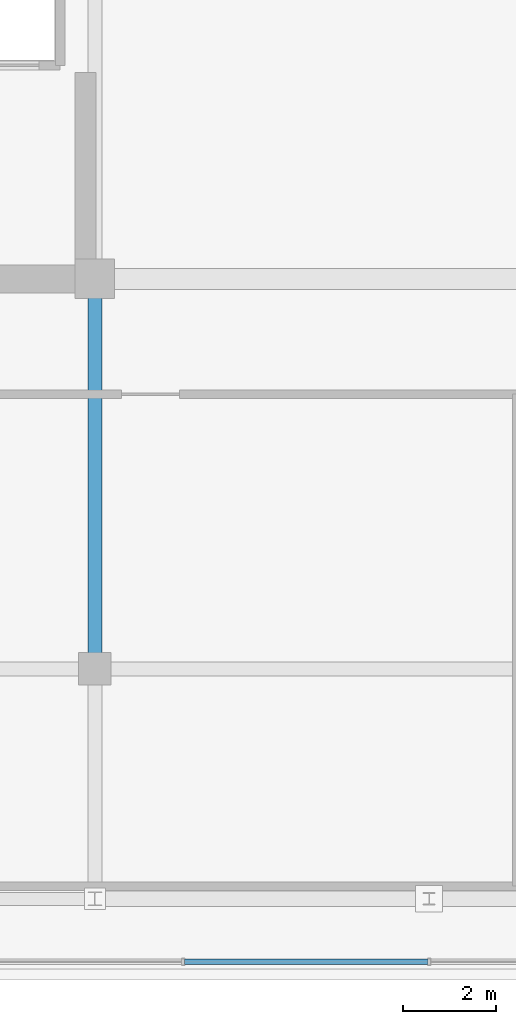
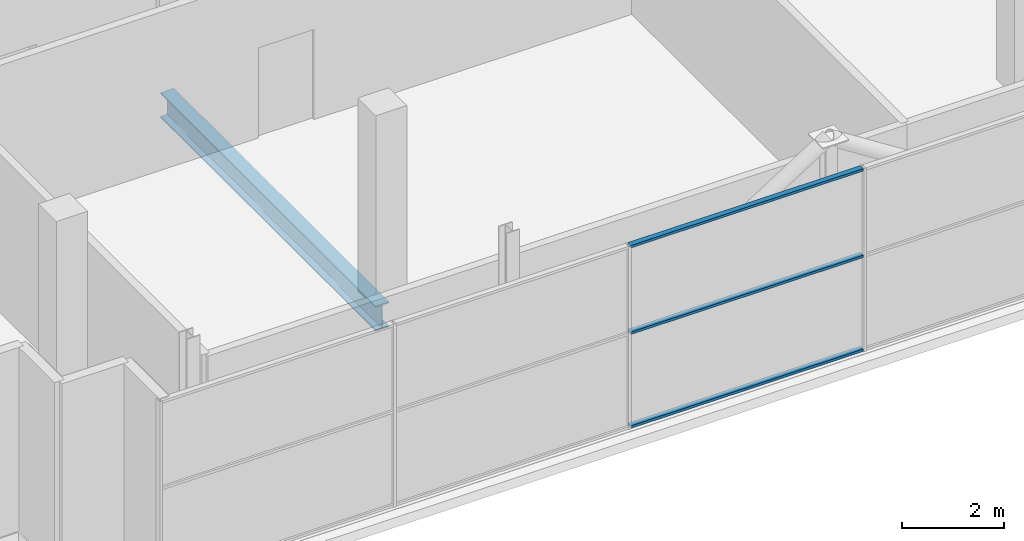
# One storey, part 6 of 26: 3 members, 1 beam, 1 element without a shape of its own.
"""IFC4 building model written with IfcOpenShell, lengths in metres."""

from ifc_helpers import new_model, si_unit, direction, frame, origin, origin_2d, place, context, subcontext, project, spatial, hollow_rectangle, i_section, extrude, source, transform, mapped, material, layer, layer_set, material_profile, profile_set, type_object, element, aggregate, save


model = new_model("IFC4")

# Units and contexts
model_context = context("Model", 3, precision=1e-05, world=origin(), true_north=direction((0.0, 1.0)))
body_context = subcontext(model_context, "Body", "Model", "MODEL_VIEW")
ifc_project = project(units=[si_unit("LENGTHUNIT", "METRE"), si_unit("AREAUNIT", "SQUARE_METRE"), si_unit("VOLUMEUNIT", "CUBIC_METRE"), si_unit("PLANEANGLEUNIT", "RADIAN"), si_unit("MASSUNIT", "GRAM", prefix="KILO")], contexts=[model_context])

# Site, building, storey
site_placement = place(None, origin())
site = spatial("IfcSite", under=ifc_project, at=site_placement, CompositionType="ELEMENT")
building_placement = place(site_placement, origin())
building = spatial("IfcBuilding", under=site, at=building_placement, Name="Zarnakvel Exchange Tower", CompositionType="ELEMENT")
storey_placement = place(building_placement, frame((0.0, 0.0, 285.39990234375)))
storey = spatial("IfcBuildingStorey", under=building, at=storey_placement, Name="Crown L80", CompositionType="ELEMENT", Elevation=285.39990234375)

# Beam
ifc_material_1 = material(Name="Steel S355", Category="steel")
ifc_material_profile_1 = material_profile(ifc_material_1, i_section(OverallWidth=0.300048828125, OverallDepth=0.60009765625, WebThickness=0.015380859375, FlangeThickness=0.030029296875, FilletRadius=0.027099609375, at=origin_2d()))
ifc_profile_set_1 = profile_set([ifc_material_profile_1], Name="Steel S355")
beam_type = type_object("IfcBeamType", Name="G-04", PredefinedType="BEAM", material=ifc_profile_set_1)
beam_placement = place(storey_placement, frame((-7.199951171875, -9.60009765625, -0.52001953125), z_axis=(0.0, 1.0, 0.0), x_axis=(-1.0, 0.0, 0.0)))
element("IfcBeam", 1, at=beam_placement, inside=storey, type_object=beam_type, Name="Crown L80 Tower N-S Frame Beam", PredefinedType="BEAM", context=body_context, shape_type="SweptSolid", body=[
    extrude(i_section(OverallWidth=0.300048828125, OverallDepth=0.60009765625, WebThickness=0.015380859375, FlangeThickness=0.030029296875, FilletRadius=0.027099609375, at=origin_2d()), origin(), (0.0, 0.0, 1.0), 8.400146484375),
])

# Curtain wall, members
ifc_material_2 = material(Name="Architectural Bronze Anodised Aluminium", Category="aluminium")
ifc_layer = layer(ifc_material_2, 0.14990234375)
ifc_layer_set = layer_set([ifc_layer], Name="Architectural Bronze Anodised Aluminium")
curtain_wall_type = type_object("IfcCurtainWallType", Name="CW-07", PredefinedType="NOTDEFINED", material=ifc_layer_set)
curtain_wall_placement = place(storey_placement, origin())
curtain_wall = element("IfcCurtainWall", 2, at=curtain_wall_placement, inside=storey, type_object=curtain_wall_type, Name="Crown L80 Curtain Wall CW-Crown L80-S (CW-07)", PredefinedType="NOTDEFINED")
ifc_material_profile_2 = material_profile(ifc_material_2, hollow_rectangle(XDim=0.1201171875, YDim=0.06005859375, WallThickness=0.00390625, at=origin_2d()))
ifc_profile_set_2 = profile_set([ifc_material_profile_2], Name="Architectural Bronze Anodised Aluminium")
member_type = type_object("IfcMemberType", Name="CWT-07", PredefinedType="USERDEFINED", material=ifc_profile_set_2)
shared_shape = source(origin(), body_context, "Body", "SweptSolid", [
    extrude(hollow_rectangle(XDim=0.1201171875, YDim=0.06005859375, WallThickness=0.00390625, at=origin_2d()), origin(), (0.0, 0.0, 1.0), 5.239990234375),
])
member_1_placement = place(storey_placement, frame((-5.27001953125, -15.909912109375, 0.030029296875), z_axis=(1.0, 0.0, 0.0), x_axis=(0.0, 1.0, 0.0)))
member_1 = element("IfcMember", 3, at=member_1_placement, type_object=member_type, Name="CW-07 transom 3.1", ObjectType="TRANSOM", PredefinedType="USERDEFINED", context=body_context, shape_type="MappedRepresentation", body=[
    mapped(shared_shape, transform((0.0, 0.0, 0.0), x_axis=(1.0, 0.0, 0.0), y_axis=(0.0, 1.0, 0.0), z_axis=(0.0, 0.0, 1.0), scale=1.0)),
])
member_2_placement = place(storey_placement, frame((-5.27001953125, -15.909912109375, 2.267333984375), z_axis=(1.0, 0.0, 0.0), x_axis=(0.0, 1.0, 0.0)))
member_2 = element("IfcMember", 4, at=member_2_placement, type_object=member_type, Name="CW-07 transom 3.2", ObjectType="TRANSOM", PredefinedType="USERDEFINED", context=body_context, shape_type="MappedRepresentation", body=[
    mapped(shared_shape, transform((0.0, 0.0, 0.0), x_axis=(1.0, 0.0, 0.0), y_axis=(0.0, 1.0, 0.0), z_axis=(0.0, 0.0, 1.0), scale=1.0)),
])
member_3_placement = place(storey_placement, frame((-5.27001953125, -15.909912109375, 4.330078125), z_axis=(1.0, 0.0, 0.0), x_axis=(0.0, 1.0, 0.0)))
member_3 = element("IfcMember", 5, at=member_3_placement, type_object=member_type, Name="CW-07 transom 3.3", ObjectType="TRANSOM", PredefinedType="USERDEFINED", context=body_context, shape_type="MappedRepresentation", body=[
    mapped(shared_shape, transform((0.0, 0.0, 0.0), x_axis=(1.0, 0.0, 0.0), y_axis=(0.0, 1.0, 0.0), z_axis=(0.0, 0.0, 1.0), scale=1.0)),
])
aggregate(curtain_wall, [member_1, member_2, member_3])

save(model, "model.ifc")
